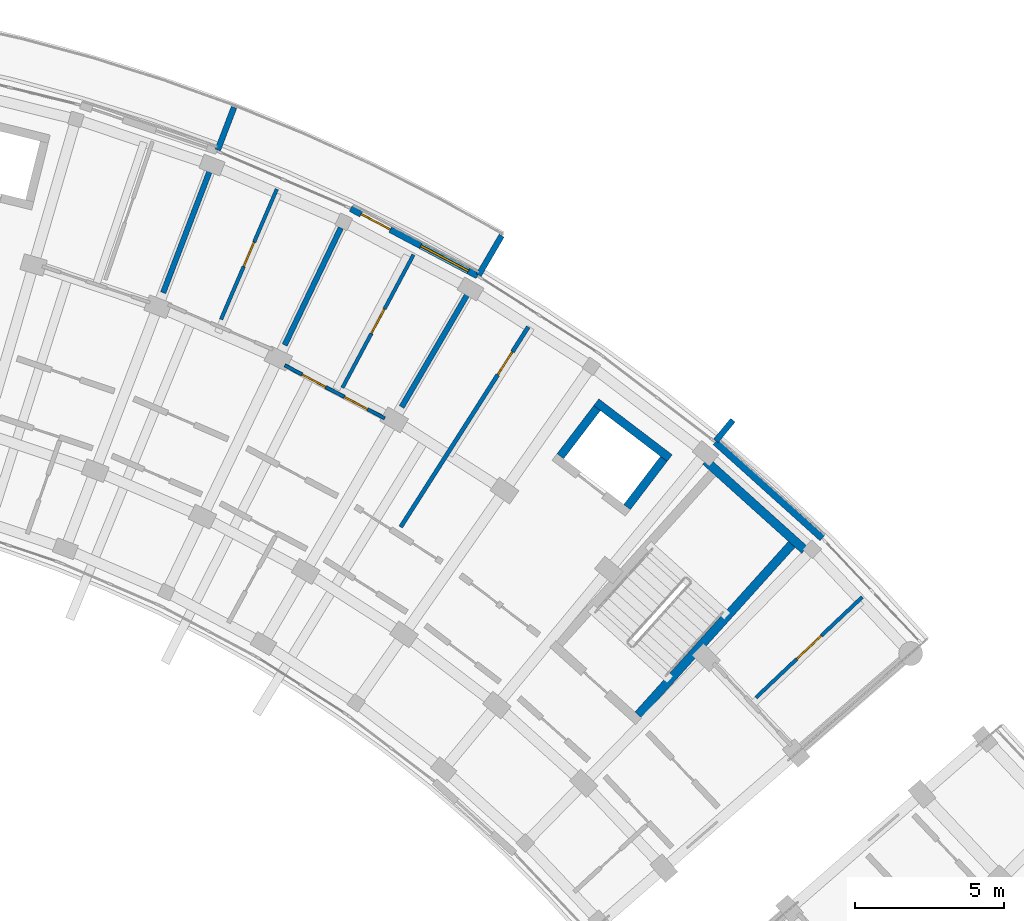
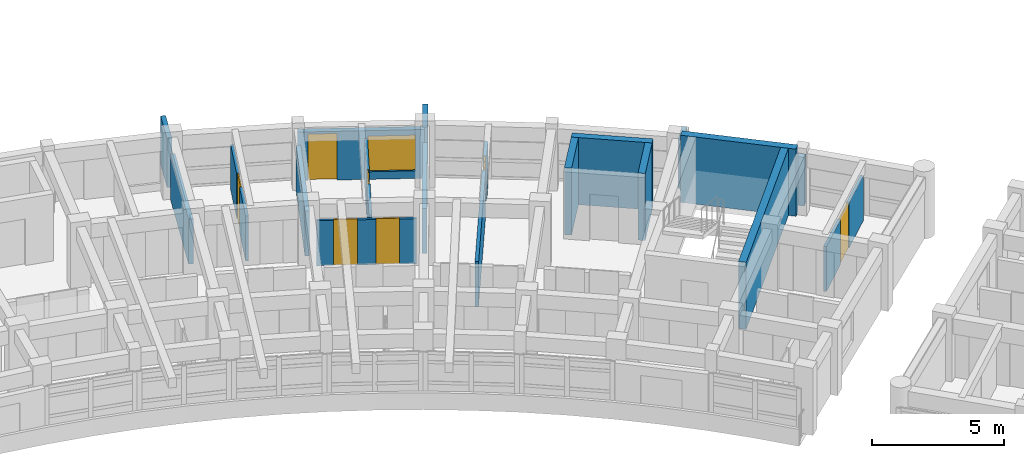
# One storey, part 36 of 54: 18 walls, 7 doors, 1 window, 8 openings.
"""IFC4 building model written with IfcOpenShell, lengths in metres."""

from ifc_helpers import new_model, si_unit, direction, frame, frame_2d, origin, place, context, subcontext, project, spatial, rectangle, extrude, material, layer, layer_set, type_object, element, fill, save


model = new_model("IFC4")

# Units and contexts
model_context = context("Model", 3, precision=1e-05, world=origin(), true_north=direction((0.0, 1.0)))
body_context = subcontext(model_context, "Body", "Model", "MODEL_VIEW")
ifc_project = project(units=[si_unit("LENGTHUNIT", "METRE"), si_unit("AREAUNIT", "SQUARE_METRE"), si_unit("VOLUMEUNIT", "CUBIC_METRE"), si_unit("PLANEANGLEUNIT", "RADIAN"), si_unit("MASSUNIT", "GRAM", prefix="KILO")], contexts=[model_context])

# Site, building, storey
site_placement = place(None, origin())
site = spatial("IfcSite", under=ifc_project, at=site_placement, CompositionType="ELEMENT")
building_placement = place(site_placement, origin())
building = spatial("IfcBuilding", under=site, at=building_placement, Name="Zimvara Arc Housing Community", CompositionType="ELEMENT")
storey_placement = place(building_placement, frame((0.0, 0.0, 20.5)))
storey = spatial("IfcBuildingStorey", under=building, at=storey_placement, Name="L06", CompositionType="ELEMENT", Elevation=20.5)

# Walls
ifc_material_1 = material(Name="Board-Marked Fair-Faced Concrete C35/45", Category="concrete")
ifc_layer_1 = layer(ifc_material_1, 0.195068359375)
ifc_layer_set_1 = layer_set([ifc_layer_1], Name="Board-Marked Fair-Faced Concrete C35/45")
wall_type_1 = type_object("IfcWallType", Name="EWL-PARA-195", PredefinedType="PARAPET", material=ifc_layer_set_1)
for number, where, z_axis, x_axis, name in (
    (1, (66.216796875, 100.0029296875, 0.0), (0.0, 0.0, 1.0), (0.356957296461, 0.934120703391, 0.0), "finwall:blkB:L06:out:b4"),
    (2, (74.961181640625, 95.8134765625, 0.0), (0.0, 0.0, 1.0), (0.504228145431, 0.863570481985, 0.0), "finwall:blkB:L06:out:b6"),
):
    element("IfcWall", number, at=place(storey_placement, frame(where, z_axis=z_axis, x_axis=x_axis)), inside=storey, type_object=wall_type_1, Name=name, PredefinedType="PARAPET", context=body_context, shape_type="SweptSolid", body=[
        extrude(rectangle(XDim=1.530029296875, YDim=0.195068359375, at=frame_2d((0.76513671875, 0.0))), origin(), (0.0, 0.0, 1.0), 2.25),
    ])
wall_1_placement = place(storey_placement, frame((82.90771484375, 90.25732421875, 0.0), z_axis=(0.0, 0.0, 1.0), x_axis=(0.637967316825, 0.770063440674, 0.0)))
element("IfcWall", 3, at=wall_1_placement, inside=storey, type_object=wall_type_1, Name="finwall:blkB:L06:out:b8", PredefinedType="PARAPET", context=body_context, shape_type="SweptSolid", body=[
    extrude(rectangle(XDim=0.900146484375, YDim=0.195068359375, at=frame_2d((0.4501953125, 0.0))), origin(), (0.0, 0.0, 1.0), 2.25),
])

# Wall, openings, door, window
ifc_material_2 = material(Name="Board-Marked Fair-Faced Concrete C35/45", Category="concrete")
ifc_layer_2 = layer(ifc_material_2, 0.2119140625)
ifc_layer_set_2 = layer_set([ifc_layer_2], Name="Board-Marked Fair-Faced Concrete C35/45")
wall_type_2 = type_object("IfcWallType", Name="EWL-VAR-11", PredefinedType="SOLIDWALL", material=ifc_layer_set_2)
wall_2_placement = place(storey_placement, frame((70.6748046875, 98.04150390625, 0.0), z_axis=(0.0, 0.0, 1.0), x_axis=(0.883448093208, -0.468529045639, 0.0)))
wall_2 = element("IfcWall", 4, at=wall_2_placement, inside=storey, type_object=wall_type_2, Name="ewall:blkB:L06:out:b5", PredefinedType="SOLIDWALL", context=body_context, shape_type="SweptSolid", body=[
    extrude(rectangle(XDim=4.80908203125, YDim=0.2119140625, at=frame_2d((2.404541015625, 0.0))), origin(), (0.0, 0.0, 1.0), 2.25),
])
opening_1_placement = place(wall_2_placement, frame((0.39990234375, 0.0, 0.0)))
opening_1 = element("IfcOpeningElement", 5, at=opening_1_placement, cuts=wall_2, Name="Opening ED06", PredefinedType="OPENING", context=body_context, shape_type="SweptSolid", body=[
    extrude(rectangle(XDim=1.10009765625, YDim=2.14990234375, at=frame_2d((0.550048828125, 1.074951171875))), frame((0.0, 0.115966796875, 0.0), z_axis=(0.0, -1.0, 0.0), x_axis=(1.0, 0.0, 0.0)), (0.0, 0.0, 1.0), 0.23193359375),
])
opening_2_placement = place(wall_2_placement, frame((2.658935546875, 0.0, 0.35009765625)))
opening_2 = element("IfcOpeningElement", 6, at=opening_2_placement, cuts=wall_2, Name="Opening W08", PredefinedType="OPENING", context=body_context, shape_type="SweptSolid", body=[
    extrude(rectangle(XDim=1.800048828125, YDim=1.64990234375, at=frame_2d((0.89990234375, 0.824951171875))), frame((0.0, 0.115966796875, 0.0), z_axis=(0.0, -1.0, 0.0), x_axis=(1.0, 0.0, 0.0)), (0.0, 0.0, 1.0), 0.23193359375),
])
ifc_material_3 = material(Name="Anodised Aluminium AW-6063", Category="aluminium")
door_type_1 = type_object("IfcDoorType", Name="EDR-TERR-1100x2150", OperationType="NOTDEFINED", PredefinedType="DOOR", material=ifc_material_3)
door_1_placement = place(opening_1_placement, origin())
door_1 = element("IfcDoor", 7, at=door_1_placement, inside=storey, type_object=door_type_1, Name="edoor:blkB:L06:bal_out:b5", OperationType="SINGLE_SWING_LEFT", OverallHeight=2.14990234375, OverallWidth=1.10009765625, PredefinedType="DOOR", context=body_context, shape_type="SweptSolid", body=[
    extrude(rectangle(XDim=1.10009765625, YDim=2.14990234375, at=frame_2d((0.550048828125, 1.074951171875))), frame((0.0, 0.02490234375, 0.0), z_axis=(0.0, -1.0, 0.0), x_axis=(1.0, 0.0, 0.0)), (0.0, 0.0, 1.0), 0.050048828125),
])
fill(opening_1, door_1)
ifc_material_4 = material(Name="Solar Control Low-E Double Glazing", Category="glass")
window_type = type_object("IfcWindowType", Name="WIN-RES-1800x1650", PartitioningType="TRIPLE_PANEL_VERTICAL", PredefinedType="WINDOW", material=ifc_material_4)
window_placement = place(opening_2_placement, origin())
window = element("IfcWindow", 8, at=window_placement, inside=storey, type_object=window_type, Name="win:blkB:L06:out:b5:balw", OverallHeight=1.64990234375, OverallWidth=1.800048828125, PartitioningType="TRIPLE_PANEL_VERTICAL", PredefinedType="WINDOW", context=body_context, shape_type="SweptSolid", body=[
    extrude(rectangle(XDim=1.800048828125, YDim=1.64990234375, at=frame_2d((0.89990234375, 0.824951171875))), frame((0.0, 0.030029296875, 0.0), z_axis=(0.0, -1.0, 0.0), x_axis=(1.0, 0.0, 0.0)), (0.0, 0.0, 1.0), 0.06005859375),
])
fill(opening_2, window)

# Walls
ifc_material_5 = material(Name="Board-Marked Fair-Faced Concrete C35/45", Category="concrete")
ifc_layer_3 = layer(ifc_material_5, 0.22802734375)
ifc_layer_set_3 = layer_set([ifc_layer_3], Name="Board-Marked Fair-Faced Concrete C35/45")
wall_type_3 = type_object("IfcWallType", Name="EWL-VAR-14", PredefinedType="SOLIDWALL", material=ifc_layer_set_3)
wall_3_placement = place(storey_placement, frame((82.89697265625, 90.21337890625, 0.0), z_axis=(0.0, 0.0, 1.0), x_axis=(0.743387539862, -0.668860946369, 0.0)))
element("IfcWall", 9, at=wall_3_placement, inside=storey, type_object=wall_type_3, Name="ewall:blkB:L06:out:b8", PredefinedType="SOLIDWALL", context=body_context, shape_type="SweptSolid", body=[
    extrude(rectangle(XDim=4.80908203125, YDim=0.22802734375, at=frame_2d((2.404541015625, 0.0))), origin(), (0.0, 0.0, 1.0), 2.25),
])
ifc_material_6 = material(Name="Concrete C35/45", Category="concrete")
ifc_layer_4 = layer(ifc_material_6, 0.18505859375)
ifc_layer_set_4 = layer_set([ifc_layer_4], Name="Concrete C35/45")
wall_type_4 = type_object("IfcWallType", Name="IWL-FLAT-185", PredefinedType="SOLIDWALL", material=ifc_layer_set_4)
for number, where, z_axis, x_axis, name in (
    (10, (64.388671875, 95.220458984375, 0.0), (0.0, 0.0, 1.0), (0.357064016205, 0.934079915388, 0.0), "iwall:blkB:L06:party:b4"),
    (11, (68.462158203125, 93.469482421875, 0.0), (0.0, 0.0, 1.0), (0.432086898897, 0.901831975371, 0.0), "iwall:blkB:L06:party:b5"),
    (12, (72.37939453125, 91.391845703125, 0.0), (0.0, 0.0, 1.0), (0.504216452091, 0.863577309475, 0.0), "iwall:blkB:L06:party:b6"),
):
    element("IfcWall", number, at=place(storey_placement, frame(where, z_axis=z_axis, x_axis=x_axis)), inside=storey, type_object=wall_type_4, Name=name, PredefinedType="SOLIDWALL", context=body_context, shape_type="SweptSolid", body=[
        extrude(rectangle(XDim=4.35009765625, YDim=0.18505859375, at=frame_2d((2.175048828125, 0.0))), origin(), (0.0, 0.0, 1.0), 2.080078125),
    ])

# Wall, openings, doors
ifc_material_7 = material(Name="Painted Acoustic Plasterboard")
ifc_layer_5 = layer(ifc_material_7, 0.110107421875)
ifc_layer_set_5 = layer_set([ifc_layer_5], Name="Painted Acoustic Plasterboard")
wall_type_5 = type_object("IfcWallType", Name="IWL-PART-110", PredefinedType="PARTITIONING", material=ifc_layer_set_5)
wall_4_placement = place(storey_placement, frame((68.468017578125, 92.787841796875, 0.0), z_axis=(0.0, 0.0, 1.0), x_axis=(0.883450371448, -0.468524749814, 0.0)))
wall_4 = element("IfcWall", 13, at=wall_4_placement, inside=storey, type_object=wall_type_5, Name="iwall:blkB:L06:srv:b5", PredefinedType="PARTITIONING", context=body_context, shape_type="SweptSolid", body=[
    extrude(rectangle(XDim=3.78515625, YDim=0.110107421875, at=frame_2d((1.892578125, 0.0))), origin(), (0.0, 0.0, 1.0), 2.080078125),
])
opening_3_placement = place(wall_4_placement, frame((0.64990234375, 0.0, 0.0)))
opening_3 = element("IfcOpeningElement", 14, at=opening_3_placement, cuts=wall_4, Name="Opening D01", PredefinedType="OPENING", context=body_context, shape_type="SweptSolid", body=[
    extrude(rectangle(XDim=0.89990234375, YDim=2.10009765625, at=frame_2d((0.449951171875, 1.050048828125))), frame((0.0, 0.06494140625, 0.0), z_axis=(0.0, -1.0, 0.0), x_axis=(1.0, 0.0, 0.0)), (0.0, 0.0, 1.0), 0.130126953125),
])
opening_4_placement = place(wall_4_placement, frame((2.255126953125, 0.0, 0.0)))
opening_4 = element("IfcOpeningElement", 15, at=opening_4_placement, cuts=wall_4, Name="Opening D05", PredefinedType="OPENING", context=body_context, shape_type="SweptSolid", body=[
    extrude(rectangle(XDim=0.8798828125, YDim=2.10009765625, at=frame_2d((0.43994140625, 1.050048828125))), frame((0.0, 0.06494140625, 0.0), z_axis=(0.0, -1.0, 0.0), x_axis=(1.0, 0.0, 0.0)), (0.0, 0.0, 1.0), 0.130126953125),
])
ifc_material_8 = material(Name="Mozambican Hardwood", Category="wood")
door_type_2 = type_object("IfcDoorType", Name="IDR-RM-0900x2100", OperationType="NOTDEFINED", PredefinedType="DOOR", material=ifc_material_8)
door_2_placement = place(opening_3_placement, origin())
door_2 = element("IfcDoor", 16, at=door_2_placement, inside=storey, type_object=door_type_2, Name="idoor:blkB:L06:kit_liv:b5", OperationType="SINGLE_SWING_RIGHT", OverallHeight=2.10009765625, OverallWidth=0.89990234375, PredefinedType="DOOR", context=body_context, shape_type="SweptSolid", body=[
    extrude(rectangle(XDim=0.89990234375, YDim=2.10009765625, at=frame_2d((0.449951171875, 1.050048828125))), frame((0.0, 0.02490234375, 0.0), z_axis=(0.0, -1.0, 0.0), x_axis=(1.0, 0.0, 0.0)), (0.0, 0.0, 1.0), 0.050048828125),
])
fill(opening_3, door_2)
ifc_material_9 = material(Name="Mozambican Hardwood", Category="wood")
door_type_3 = type_object("IfcDoorType", Name="IDR-WC-0880x2100", OperationType="NOTDEFINED", PredefinedType="DOOR", material=ifc_material_9)
door_3_placement = place(opening_4_placement, origin())
door_3 = element("IfcDoor", 17, at=door_3_placement, inside=storey, type_object=door_type_3, Name="idoor:blkB:L06:bath_d:b5", OperationType="SINGLE_SWING_LEFT", OverallHeight=2.10009765625, OverallWidth=0.8798828125, PredefinedType="DOOR", context=body_context, shape_type="SweptSolid", body=[
    extrude(rectangle(XDim=0.8798828125, YDim=2.10009765625, at=frame_2d((0.43994140625, 1.050048828125))), frame((0.0, 0.02490234375, 0.0), z_axis=(0.0, -1.0, 0.0), x_axis=(1.0, 0.0, 0.0)), (0.0, 0.0, 1.0), 0.050048828125),
])
fill(opening_4, door_3)

# Wall, opening, door
ifc_material_10 = material(Name="Painted Acoustic Plasterboard")
ifc_layer_6 = layer(ifc_material_10, 0.1201171875)
ifc_layer_set_6 = layer_set([ifc_layer_6], Name="Painted Acoustic Plasterboard")
wall_type_6 = type_object("IfcWallType", Name="IWL-PART-120", PredefinedType="PARTITIONING", material=ifc_layer_set_6)
wall_5_placement = place(storey_placement, frame((66.32861328125, 94.326904296875, 0.0), z_axis=(0.0, 0.0, 1.0), x_axis=(0.393553279267, 0.919301809189, 0.0)))
wall_5 = element("IfcWall", 18, at=wall_5_placement, inside=storey, type_object=wall_type_6, Name="iwall:blkB:L06:bed_div:b4", PredefinedType="PARTITIONING", context=body_context, shape_type="SweptSolid", body=[
    extrude(rectangle(XDim=4.75, YDim=0.1201171875, at=frame_2d((2.375, 0.0))), origin(), (0.0, 0.0, 1.0), 2.080078125),
])
opening_5_placement = place(wall_5_placement, frame((1.929931640625, 0.0, 0.0)))
opening_5 = element("IfcOpeningElement", 19, at=opening_5_placement, cuts=wall_5, Name="Opening D12", PredefinedType="OPENING", context=body_context, shape_type="SweptSolid", body=[
    extrude(rectangle(XDim=0.889892578125, YDim=2.10009765625, at=frame_2d((0.44482421875, 1.050048828125))), frame((0.0, 0.070068359375, 0.0), z_axis=(0.0, -1.0, 0.0), x_axis=(1.0, 0.0, 0.0)), (0.0, 0.0, 1.0), 0.14013671875),
])
ifc_material_11 = material(Name="Mozambican Hardwood", Category="wood")
door_type_4 = type_object("IfcDoorType", Name="IDR-MOD-890x2140", OperationType="NOTDEFINED", PredefinedType="DOOR", material=ifc_material_11)
door_4_placement = place(opening_5_placement, origin())
door_4 = element("IfcDoor", 20, at=door_4_placement, inside=storey, type_object=door_type_4, Name="idoor:blkB:L06:bed_d:b4", OperationType="SINGLE_SWING_RIGHT", OverallHeight=2.10009765625, OverallWidth=0.889892578125, PredefinedType="DOOR", context=body_context, shape_type="SweptSolid", body=[
    extrude(rectangle(XDim=0.889892578125, YDim=2.10009765625, at=frame_2d((0.44482421875, 1.050048828125))), frame((0.0, 0.02490234375, 0.0), z_axis=(0.0, -1.0, 0.0), x_axis=(1.0, 0.0, 0.0)), (0.0, 0.0, 1.0), 0.050048828125),
])
fill(opening_5, door_4)

wall_6_placement = place(storey_placement, frame((70.398193359375, 92.041015625, 0.0), z_axis=(0.0, 0.0, 1.0), x_axis=(0.471222960991, 0.882014127457, 0.0)))
wall_6 = element("IfcWall", 21, at=wall_6_placement, inside=storey, type_object=wall_type_6, Name="iwall:blkB:L06:bed_div:b5", PredefinedType="PARTITIONING", context=body_context, shape_type="SweptSolid", body=[
    extrude(rectangle(XDim=5.0498046875, YDim=0.1201171875, at=frame_2d((2.52490234375, 0.0))), origin(), (0.0, 0.0, 1.0), 2.080078125),
])
opening_6_placement = place(wall_6_placement, frame((2.06005859375, 0.0, 0.0)))
opening_6 = element("IfcOpeningElement", 22, at=opening_6_placement, cuts=wall_6, Name="Opening D13", PredefinedType="OPENING", context=body_context, shape_type="SweptSolid", body=[
    extrude(rectangle(XDim=0.929931640625, YDim=2.10009765625, at=frame_2d((0.46484375, 1.050048828125))), frame((0.0, 0.070068359375, 0.0), z_axis=(0.0, -1.0, 0.0), x_axis=(1.0, 0.0, 0.0)), (0.0, 0.0, 1.0), 0.14013671875),
])
ifc_material_12 = material(Name="Mozambican Hardwood", Category="wood")
door_type_5 = type_object("IfcDoorType", Name="IDR-MOD-930x2180", OperationType="NOTDEFINED", PredefinedType="DOOR", material=ifc_material_12)
door_5_placement = place(opening_6_placement, origin())
door_5 = element("IfcDoor", 23, at=door_5_placement, inside=storey, type_object=door_type_5, Name="idoor:blkB:L06:bed_d:b5", OperationType="SINGLE_SWING_RIGHT", OverallHeight=2.10009765625, OverallWidth=0.929931640625, PredefinedType="DOOR", context=body_context, shape_type="SweptSolid", body=[
    extrude(rectangle(XDim=0.929931640625, YDim=2.10009765625, at=frame_2d((0.46484375, 1.050048828125))), frame((0.0, 0.02490234375, 0.0), z_axis=(0.0, -1.0, 0.0), x_axis=(1.0, 0.0, 0.0)), (0.0, 0.0, 1.0), 0.050048828125),
])
fill(opening_6, door_5)

wall_7_placement = place(storey_placement, frame((84.254150390625, 81.6552734375, 0.0), z_axis=(0.0, 0.0, 1.0), x_axis=(0.726295620759, 0.687382478149, 0.0)))
wall_7 = element("IfcWall", 24, at=wall_7_placement, inside=storey, type_object=wall_type_6, Name="iwall:blkB:L06:bed_div:b9", PredefinedType="PARTITIONING", context=body_context, shape_type="SweptSolid", body=[
    extrude(rectangle(XDim=4.89990234375, YDim=0.1201171875, at=frame_2d((2.449951171875, 0.0))), origin(), (0.0, 0.0, 1.0), 2.080078125),
])
opening_7_placement = place(wall_7_placement, frame((1.885009765625, 0.0, 0.0)))
opening_7 = element("IfcOpeningElement", 25, at=opening_7_placement, cuts=wall_7, Name="Opening D17", PredefinedType="OPENING", context=body_context, shape_type="SweptSolid", body=[
    extrude(rectangle(XDim=1.1298828125, YDim=2.10009765625, at=frame_2d((0.56494140625, 1.050048828125))), frame((0.0, 0.070068359375, 0.0), z_axis=(0.0, -1.0, 0.0), x_axis=(1.0, 0.0, 0.0)), (0.0, 0.0, 1.0), 0.14013671875),
])
ifc_material_13 = material(Name="Mozambican Hardwood", Category="wood")
door_type_6 = type_object("IfcDoorType", Name="IDR-MOD-1130x2240", OperationType="NOTDEFINED", PredefinedType="DOOR", material=ifc_material_13)
door_6_placement = place(opening_7_placement, origin())
door_6 = element("IfcDoor", 26, at=door_6_placement, inside=storey, type_object=door_type_6, Name="idoor:blkB:L06:bed_d:b9", OperationType="SINGLE_SWING_RIGHT", OverallHeight=2.10009765625, OverallWidth=1.1298828125, PredefinedType="DOOR", context=body_context, shape_type="SweptSolid", body=[
    extrude(rectangle(XDim=1.1298828125, YDim=2.10009765625, at=frame_2d((0.56494140625, 1.050048828125))), frame((0.0, 0.02490234375, 0.0), z_axis=(0.0, -1.0, 0.0), x_axis=(1.0, 0.0, 0.0)), (0.0, 0.0, 1.0), 0.050048828125),
])
fill(opening_7, door_6)

ifc_material_14 = material(Name="Painted Acoustic Plasterboard")
ifc_layer_7 = layer(ifc_material_14, 0.139892578125)
ifc_layer_set_7 = layer_set([ifc_layer_7], Name="Painted Acoustic Plasterboard")
wall_type_7 = type_object("IfcWallType", Name="IWL-PART-140", PredefinedType="PARTITIONING", material=ifc_layer_set_7)
wall_8_placement = place(storey_placement, frame((72.346923828125, 87.370361328125, 0.0), z_axis=(0.0, 0.0, 1.0), x_axis=(0.537777309481, 0.843086926365, 0.0)))
wall_8 = element("IfcWall", 27, at=wall_8_placement, inside=storey, type_object=wall_type_7, Name="iwall:blkB:L06:amen_div:b6", PredefinedType="PARTITIONING", context=body_context, shape_type="SweptSolid", body=[
    extrude(rectangle(XDim=7.9501953125, YDim=0.139892578125, at=frame_2d((3.97509765625, 0.0))), origin(), (0.0, 0.0, 1.0), 2.080078125),
])
opening_8_placement = place(wall_8_placement, frame((6.050048828125, 0.0, 0.0)))
opening_8 = element("IfcOpeningElement", 28, at=opening_8_placement, cuts=wall_8, Name="Opening D02", PredefinedType="OPENING", context=body_context, shape_type="SweptSolid", body=[
    extrude(rectangle(XDim=0.919921875, YDim=2.10009765625, at=frame_2d((0.4599609375, 1.050048828125))), frame((0.0, 0.079833984375, 0.0), z_axis=(0.0, -1.0, 0.0), x_axis=(1.0, 0.0, 0.0)), (0.0, 0.0, 1.0), 0.159912109375),
])
ifc_material_15 = material(Name="Mozambican Hardwood", Category="wood")
door_type_7 = type_object("IfcDoorType", Name="IDR-RM-0920x2100", OperationType="NOTDEFINED", PredefinedType="DOOR", material=ifc_material_15)
door_7_placement = place(opening_8_placement, origin())
door_7 = element("IfcDoor", 29, at=door_7_placement, inside=storey, type_object=door_type_7, Name="idoor:blkB:L06:laund_d:b6", OperationType="SINGLE_SWING_RIGHT", OverallHeight=2.10009765625, OverallWidth=0.919921875, PredefinedType="DOOR", context=body_context, shape_type="SweptSolid", body=[
    extrude(rectangle(XDim=0.919921875, YDim=2.10009765625, at=frame_2d((0.4599609375, 1.050048828125))), frame((0.0, 0.02490234375, 0.0), z_axis=(0.0, -1.0, 0.0), x_axis=(1.0, 0.0, 0.0)), (0.0, 0.0, 1.0), 0.050048828125),
])
fill(opening_8, door_7)

# Walls
ifc_material_16 = material(Name="Concrete C40/50", Category="concrete")
ifc_layer_8 = layer(ifc_material_16, 0.280029296875)
ifc_layer_set_8 = layer_set([ifc_layer_8], Name="Concrete C40/50")
wall_type_8 = type_object("IfcWallType", Name="WL-CORE-280", PredefinedType="SHEAR", material=ifc_layer_set_8)
wall_9_placement = place(storey_placement, frame((81.361083984375, 89.681396484375, 0.0), z_axis=(0.0, 0.0, 1.0), x_axis=(-0.795502452183, 0.605950368076, 0.0)))
element("IfcWall", 30, at=wall_9_placement, inside=storey, type_object=wall_type_8, Name="lwall:LP-B2:L06:back", PredefinedType="SHEAR", context=body_context, shape_type="SweptSolid", body=[
    extrude(rectangle(XDim=3.08984375, YDim=0.280029296875, at=frame_2d((1.544921875, 0.0))), origin(), (0.0, 0.0, 1.0), 3.10009765625),
])
for number, where, z_axis, x_axis, name in (
    (31, (79.934814453125, 88.0400390625, 0.0), (0.0, 0.0, 1.0), (0.606025097418, 0.795445523779, 0.0), "lwall:LP-B2:L06:left"),
    (32, (77.699462890625, 89.742919921875, 0.0), (0.0, 0.0, 1.0), (0.606025097418, 0.795445523779, 0.0), "lwall:LP-B2:L06:right"),
):
    element("IfcWall", number, at=place(storey_placement, frame(where, z_axis=z_axis, x_axis=x_axis)), inside=storey, type_object=wall_type_8, Name=name, PredefinedType="SHEAR", context=body_context, shape_type="SweptSolid", body=[
        extrude(rectangle(XDim=2.030029296875, YDim=0.280029296875, at=frame_2d((1.01513671875, 0.0))), origin(), (0.0, 0.0, 1.0), 3.10009765625),
    ])
ifc_material_17 = material(Name="Concrete C40/50", Category="concrete")
ifc_layer_9 = layer(ifc_material_17, 0.300048828125)
ifc_layer_set_9 = layer_set([ifc_layer_9], Name="Concrete C40/50")
wall_type_9 = type_object("IfcWallType", Name="WL-CORE-300", PredefinedType="SHEAR", material=ifc_layer_set_9)
wall_10_placement = place(storey_placement, frame((85.887451171875, 86.6005859375, 0.0), z_axis=(0.0, 0.0, 1.0), x_axis=(-0.743400052815, 0.668847038922, 0.0)))
element("IfcWall", 33, at=wall_10_placement, inside=storey, type_object=wall_type_9, Name="cwall:ST-B2:L06:far", PredefinedType="SHEAR", context=body_context, shape_type="SweptSolid", body=[
    extrude(rectangle(XDim=4.469970703125, YDim=0.300048828125, at=frame_2d((2.23486328125, 0.0))), origin(), (0.0, 0.0, 1.0), 3.10009765625),
])
wall_11_placement = place(storey_placement, frame((80.308837890625, 81.073486328125, 0.0), z_axis=(0.0, 0.0, 1.0), x_axis=(0.668885797871, 0.743365179038, 0.0)))
element("IfcWall", 34, at=wall_11_placement, inside=storey, type_object=wall_type_9, Name="cwall:ST-B2:L06:left", PredefinedType="SHEAR", context=body_context, shape_type="SweptSolid", body=[
    extrude(rectangle(XDim=7.690185546875, YDim=0.300048828125, at=frame_2d((3.84521484375, 0.0))), origin(), (0.0, 0.0, 1.0), 3.10009765625),
])

save(model, "model.ifc")
